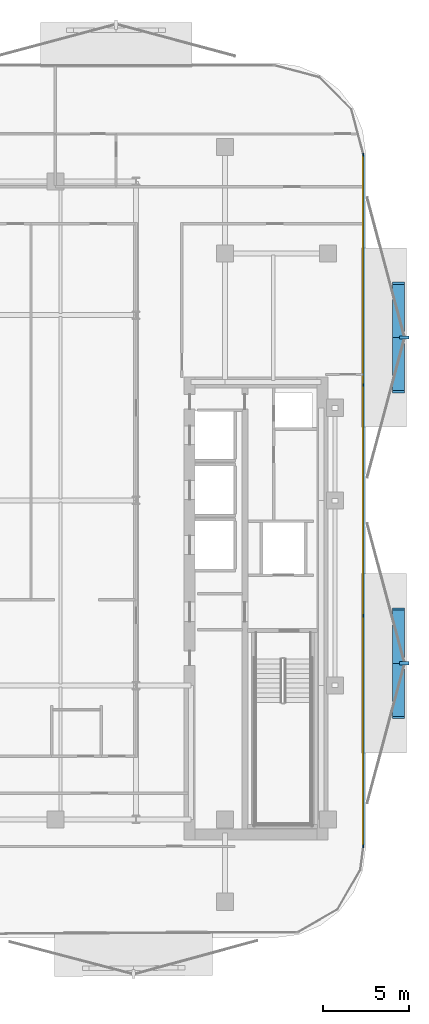
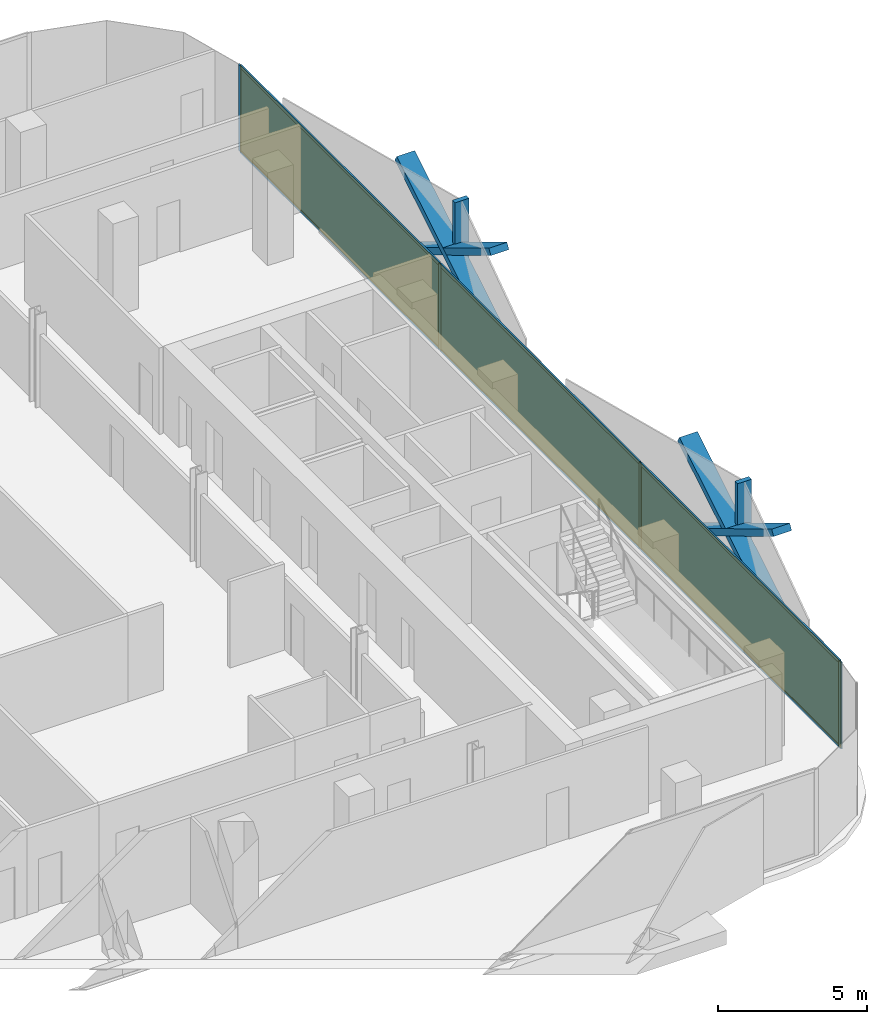
# One storey, part 10 of 16: 16 members, 3 plates, 1 curtain wall.
"""IFC4 building model written with IfcOpenShell, lengths in metres."""

from ifc_helpers import new_model, si_unit, direction, frame, frame_2d, origin, origin_2d, place, context, subcontext, project, spatial, rectangle, extrude, material, layer, layer_set, material_profile, profile_set, type_object, element, aggregate, save


model = new_model("IFC4")

# Units and contexts
model_context = context("Model", 3, precision=1e-05, world=origin(), true_north=direction((0.0, 1.0)))
body_context = subcontext(model_context, "Body", "Model", "MODEL_VIEW")
ifc_project = project(units=[si_unit("LENGTHUNIT", "METRE"), si_unit("AREAUNIT", "SQUARE_METRE"), si_unit("VOLUMEUNIT", "CUBIC_METRE"), si_unit("PLANEANGLEUNIT", "RADIAN"), si_unit("MASSUNIT", "GRAM", prefix="KILO")], contexts=[model_context])

# Member
ifc_material_1 = material(Name="Anodised Bronze Aluminium 6063-T6", Category="aluminium")
ifc_material_profile_1 = material_profile(ifc_material_1, rectangle(XDim=0.260009765625, YDim=0.699951171875, at=origin_2d()))
ifc_profile_set_1 = profile_set([ifc_material_profile_1], Name="Anodised Bronze Aluminium 6063-T6")
member_type_1 = type_object("IfcMemberType", Name="Bronze Diamond Solar-Screen Lattice Rib BDL-700", PredefinedType="MULLION", material=ifc_profile_set_1)
site_placement = place(None, origin())
building_placement = place(site_placement, origin())
storey_placement = place(building_placement, frame((0.0, 0.0, 187.800048828125)))
member_1_placement = place(storey_placement, frame((24.5, 12.660400390625, -0.130126953125), z_axis=(0.0, -0.85737327611, 0.514695118893), x_axis=(0.0, -0.514695118893, -0.85737327611)))
member_1 = element("IfcMember", 1, at=member_1_placement, type_object=member_type_1, Name="L43 Bronze Diamond Solar Screen Lattice Rib 287A", PredefinedType="MULLION", context=body_context, shape_type="SweptSolid", body=[
    extrude(rectangle(XDim=0.260009765625, YDim=0.699951171875, at=origin_2d()), origin(), (0.0, 0.0, 1.0), 7.383056640625),
])

member_2_placement = place(storey_placement, frame((24.5, 6.330322265625, -0.130126953125), z_axis=(0.0, 0.85737327611, 0.514695118893), x_axis=(0.0, 0.514695118893, -0.85737327611)))
member_2 = element("IfcMember", 2, at=member_2_placement, type_object=member_type_1, Name="L43 Bronze Diamond Solar Screen Lattice Rib 287B", PredefinedType="MULLION", context=body_context, shape_type="SweptSolid", body=[
    extrude(rectangle(XDim=0.260009765625, YDim=0.699951171875, at=origin_2d()), origin(), (0.0, 0.0, 1.0), 7.383056640625),
])

member_3_placement = place(storey_placement, frame((24.5, -6.330322265625, -0.130126953125), z_axis=(0.0, -0.85737327611, 0.514695118893), x_axis=(0.0, -0.514695118893, -0.85737327611)))
member_3 = element("IfcMember", 3, at=member_3_placement, type_object=member_type_1, Name="L43 Bronze Diamond Solar Screen Lattice Rib 288A", PredefinedType="MULLION", context=body_context, shape_type="SweptSolid", body=[
    extrude(rectangle(XDim=0.260009765625, YDim=0.699951171875, at=origin_2d()), origin(), (0.0, 0.0, 1.0), 7.383056640625),
])

member_4_placement = place(storey_placement, frame((24.5, -12.660400390625, -0.130126953125), z_axis=(0.0, 0.85737327611, 0.514695118893), x_axis=(0.0, 0.514695118893, -0.85737327611)))
member_4 = element("IfcMember", 4, at=member_4_placement, type_object=member_type_1, Name="L43 Bronze Diamond Solar Screen Lattice Rib 288B", PredefinedType="MULLION", context=body_context, shape_type="SweptSolid", body=[
    extrude(rectangle(XDim=0.260009765625, YDim=0.699951171875, at=origin_2d()), origin(), (0.0, 0.0, 1.0), 7.383056640625),
])

ifc_material_2 = material(Name="Anodised Bronze Aluminium 6063-T6", Category="aluminium")
ifc_material_profile_2 = material_profile(ifc_material_2, rectangle(XDim=0.179931640625, YDim=0.5400390625, at=origin_2d()))
ifc_profile_set_2 = profile_set([ifc_material_profile_2], Name="Anodised Bronze Aluminium 6063-T6")
member_type_2 = type_object("IfcMemberType", Name="Bronze Solar-Screen Vertical Fold Fin BSF-540", PredefinedType="MULLION", material=ifc_profile_set_2)
member_5_placement = place(storey_placement, frame((24.840087890625, 9.495361328125, -0.130126953125), z_axis=(0.0, 0.0, 1.0), x_axis=(0.0, -1.0, 0.0)))
member_5 = element("IfcMember", 5, at=member_5_placement, type_object=member_type_2, Name="L43 Bronze Solar Screen Vertical Fin 287", PredefinedType="MULLION", context=body_context, shape_type="SweptSolid", body=[
    extrude(rectangle(XDim=0.179931640625, YDim=0.5400390625, at=origin_2d()), origin(), (0.0, 0.0, 1.0), 3.800048828125),
])

member_6_placement = place(storey_placement, frame((24.840087890625, -9.495361328125, -0.130126953125), z_axis=(0.0, 0.0, 1.0), x_axis=(0.0, -1.0, 0.0)))
member_6 = element("IfcMember", 6, at=member_6_placement, type_object=member_type_2, Name="L43 Bronze Solar Screen Vertical Fin 288", PredefinedType="MULLION", context=body_context, shape_type="SweptSolid", body=[
    extrude(rectangle(XDim=0.179931640625, YDim=0.5400390625, at=origin_2d()), origin(), (0.0, 0.0, 1.0), 3.800048828125),
])

ifc_material_3 = material(Name="Anodised Bronze Aluminium 6063-T6", Category="aluminium")
ifc_material_profile_3 = material_profile(ifc_material_3, rectangle(XDim=0.06005859375, YDim=0.1650390625, at=origin_2d()))
ifc_profile_set_3 = profile_set([ifc_material_profile_3], Name="Anodised Bronze Aluminium 6063-T6")
member_type_3 = type_object("IfcMemberType", Name="CW-Z3 Mullion 60x165", PredefinedType="MULLION", material=ifc_profile_set_3)
member_7_placement = place(storey_placement, frame((22.4599609375, 20.160888671875, 0.0), z_axis=(0.0, 0.0, 1.0), x_axis=(1.0, 0.0, 0.0)))
member_7 = element("IfcMember", 7, at=member_7_placement, type_object=member_type_3, Name="CW-Z3 mullion 1", PredefinedType="MULLION", context=body_context, shape_type="SweptSolid", body=[
    extrude(rectangle(XDim=0.06005859375, YDim=0.1650390625, at=origin_2d()), origin(), (0.0, 0.0, 1.0), 3.5400390625),
])

member_8_placement = place(storey_placement, frame((22.4599609375, 6.730224609375, 0.0), z_axis=(0.0, 0.0, 1.0), x_axis=(1.0, 0.0, 0.0)))
member_8 = element("IfcMember", 8, at=member_8_placement, type_object=member_type_3, Name="CW-Z3 mullion 2", PredefinedType="MULLION", context=body_context, shape_type="SweptSolid", body=[
    extrude(rectangle(XDim=0.06005859375, YDim=0.1650390625, at=origin_2d()), origin(), (0.0, 0.0, 1.0), 3.5400390625),
])

member_9_placement = place(storey_placement, frame((22.4599609375, -6.730224609375, 0.0), z_axis=(0.0, 0.0, 1.0), x_axis=(1.0, 0.0, 0.0)))
member_9 = element("IfcMember", 9, at=member_9_placement, type_object=member_type_3, Name="CW-Z3 mullion 3", PredefinedType="MULLION", context=body_context, shape_type="SweptSolid", body=[
    extrude(rectangle(XDim=0.06005859375, YDim=0.1650390625, at=origin_2d()), origin(), (0.0, 0.0, 1.0), 3.5400390625),
])

member_10_placement = place(storey_placement, frame((22.4599609375, -20.160888671875, 0.0), z_axis=(0.0, 0.0, 1.0), x_axis=(1.0, 0.0, 0.0)))
member_10 = element("IfcMember", 10, at=member_10_placement, type_object=member_type_3, Name="CW-Z3 mullion 4", PredefinedType="MULLION", context=body_context, shape_type="SweptSolid", body=[
    extrude(rectangle(XDim=0.06005859375, YDim=0.1650390625, at=origin_2d()), origin(), (0.0, 0.0, 1.0), 3.5400390625),
])

ifc_material_4 = material(Name="Anodised Bronze Aluminium 6063-T6", Category="aluminium")
ifc_material_profile_4 = material_profile(ifc_material_4, rectangle(XDim=0.06005859375, YDim=0.1298828125, at=origin_2d()))
ifc_profile_set_4 = profile_set([ifc_material_profile_4], Name="Anodised Bronze Aluminium 6063-T6")
member_type_4 = type_object("IfcMemberType", Name="CW-Z3 Transom 60x130", PredefinedType="USERDEFINED", material=ifc_profile_set_4)
member_11_placement = place(storey_placement, frame((22.4599609375, 20.130859375, 0.030029296875), z_axis=(0.0, -1.0, 0.0), x_axis=(1.0, 0.0, 0.0)))
member_11 = element("IfcMember", 11, at=member_11_placement, type_object=member_type_4, Name="CW-Z3 transom 1.1", ObjectType="TRANSOM", PredefinedType="USERDEFINED", context=body_context, shape_type="SweptSolid", body=[
    extrude(rectangle(XDim=0.06005859375, YDim=0.1298828125, at=origin_2d()), origin(), (0.0, 0.0, 1.0), 13.37060546875),
])

member_12_placement = place(storey_placement, frame((22.4599609375, 20.130859375, 3.510009765625), z_axis=(0.0, -1.0, 0.0), x_axis=(1.0, 0.0, 0.0)))
member_12 = element("IfcMember", 12, at=member_12_placement, type_object=member_type_4, Name="CW-Z3 transom 1.2", ObjectType="TRANSOM", PredefinedType="USERDEFINED", context=body_context, shape_type="SweptSolid", body=[
    extrude(rectangle(XDim=0.06005859375, YDim=0.1298828125, at=origin_2d()), origin(), (0.0, 0.0, 1.0), 13.37060546875),
])

member_13_placement = place(storey_placement, frame((22.4599609375, 6.7001953125, 0.030029296875), z_axis=(0.0, -1.0, 0.0), x_axis=(1.0, 0.0, 0.0)))
member_13 = element("IfcMember", 13, at=member_13_placement, type_object=member_type_4, Name="CW-Z3 transom 2.1", ObjectType="TRANSOM", PredefinedType="USERDEFINED", context=body_context, shape_type="SweptSolid", body=[
    extrude(rectangle(XDim=0.06005859375, YDim=0.1298828125, at=origin_2d()), origin(), (0.0, 0.0, 1.0), 13.400390625),
])

member_14_placement = place(storey_placement, frame((22.4599609375, 6.7001953125, 3.510009765625), z_axis=(0.0, -1.0, 0.0), x_axis=(1.0, 0.0, 0.0)))
member_14 = element("IfcMember", 14, at=member_14_placement, type_object=member_type_4, Name="CW-Z3 transom 2.2", ObjectType="TRANSOM", PredefinedType="USERDEFINED", context=body_context, shape_type="SweptSolid", body=[
    extrude(rectangle(XDim=0.06005859375, YDim=0.1298828125, at=origin_2d()), origin(), (0.0, 0.0, 1.0), 13.400390625),
])

member_15_placement = place(storey_placement, frame((22.4599609375, -6.76025390625, 0.030029296875), z_axis=(0.0, -1.0, 0.0), x_axis=(1.0, 0.0, 0.0)))
member_15 = element("IfcMember", 15, at=member_15_placement, type_object=member_type_4, Name="CW-Z3 transom 3.1", ObjectType="TRANSOM", PredefinedType="USERDEFINED", context=body_context, shape_type="SweptSolid", body=[
    extrude(rectangle(XDim=0.06005859375, YDim=0.1298828125, at=origin_2d()), origin(), (0.0, 0.0, 1.0), 13.37060546875),
])

member_16_placement = place(storey_placement, frame((22.4599609375, -6.76025390625, 3.510009765625), z_axis=(0.0, -1.0, 0.0), x_axis=(1.0, 0.0, 0.0)))
member_16 = element("IfcMember", 16, at=member_16_placement, type_object=member_type_4, Name="CW-Z3 transom 3.2", ObjectType="TRANSOM", PredefinedType="USERDEFINED", context=body_context, shape_type="SweptSolid", body=[
    extrude(rectangle(XDim=0.06005859375, YDim=0.1298828125, at=origin_2d()), origin(), (0.0, 0.0, 1.0), 13.37060546875),
])

# Plate
ifc_material_5 = material(Name="Low-E Solar Control Laminated Glass", Category="glass")
ifc_layer_1 = layer(ifc_material_5, 0.030029296875, Name="Low-E Solar Control Laminated Glass")
ifc_layer_set_1 = layer_set([ifc_layer_1], Name="Low-E Solar Control Laminated Glass")
plate_type = type_object("IfcPlateType", Name="CW-Z3 Low-E Double Glazed Panel 30mm", PredefinedType="CURTAIN_PANEL", material=ifc_layer_set_1)
plate_1_placement = place(storey_placement, frame((22.4599609375, 13.445556640625, 0.06005859375), z_axis=(0.0, 0.0, 1.0), x_axis=(0.0, -1.0, 0.0)))
plate_1 = element("IfcPlate", 17, at=plate_1_placement, type_object=plate_type, Name="CW-Z3 panel 1.1", PredefinedType="CURTAIN_PANEL", context=body_context, shape_type="SweptSolid", body=[
    extrude(rectangle(XDim=13.37060546875, YDim=0.030029296875, at=origin_2d()), origin(), (0.0, 0.0, 1.0), 3.419921875),
])

plate_2_placement = place(storey_placement, frame((22.4599609375, 0.0, 0.06005859375), z_axis=(0.0, 0.0, 1.0), x_axis=(0.0, -1.0, 0.0)))
plate_2 = element("IfcPlate", 18, at=plate_2_placement, type_object=plate_type, Name="CW-Z3 panel 2.1", PredefinedType="CURTAIN_PANEL", context=body_context, shape_type="SweptSolid", body=[
    extrude(rectangle(XDim=13.400634765625, YDim=0.030029296875, at=origin_2d()), origin(), (0.0, 0.0, 1.0), 3.419921875),
])

plate_3_placement = place(storey_placement, frame((22.4599609375, -13.445556640625, 0.06005859375), z_axis=(0.0, 0.0, 1.0), x_axis=(0.0, -1.0, 0.0)))
plate_3 = element("IfcPlate", 19, at=plate_3_placement, type_object=plate_type, Name="CW-Z3 panel 3.1", PredefinedType="CURTAIN_PANEL", context=body_context, shape_type="SweptSolid", body=[
    extrude(rectangle(XDim=13.37060546875, YDim=0.030029296875, at=origin_2d()), origin(), (0.0, 0.0, 1.0), 3.419921875),
])

# Site, building, storey
site = spatial("IfcSite", under=ifc_project, at=site_placement, CompositionType="ELEMENT")
building = spatial("IfcBuilding", under=site, at=building_placement, Name="Khairoan Windgate Tower", CompositionType="ELEMENT")
storey = spatial("IfcBuildingStorey", under=building, at=storey_placement, Name="L43", CompositionType="ELEMENT", Elevation=187.800048828125)

# Curtain wall
ifc_material_6 = material(Name="Anodised Bronze Aluminium 6063-T6", Category="aluminium")
ifc_layer_2 = layer(ifc_material_6, 0.1650390625, Name="Anodised Bronze Aluminium 6063-T6")
ifc_layer_set_2 = layer_set([ifc_layer_2], Name="Anodised Bronze Aluminium 6063-T6")
curtain_wall_type = type_object("IfcCurtainWallType", Name="Luxury Hotel Acoustic Curtain Wall CW-Z3", PredefinedType="NOTDEFINED", material=ifc_layer_set_2)
curtain_wall_placement = place(storey_placement, frame((22.4599609375, 20.19091796875, 0.0), z_axis=(0.0, 0.0, 1.0), x_axis=(0.0, -1.0, 0.0)))
curtain_wall = element("IfcCurtainWall", 20, at=curtain_wall_placement, inside=storey, type_object=curtain_wall_type, Name="L43 Unitised Curtain Wall 13", PredefinedType="NOTDEFINED", context=body_context, shape_type="SweptSolid", body=[
    extrude(rectangle(XDim=40.3818359375, YDim=0.010009765625, at=frame_2d((20.19091796875, 0.0))), origin(), (0.0, 0.0, 1.0), 3.5400390625),
])

aggregate(curtain_wall, [member_7, member_8, member_9, member_10, member_11, member_12, plate_1, member_13, member_14, plate_2, member_15, member_16, plate_3, member_1, member_2, member_5, member_3, member_4, member_6])

save(model, "model.ifc")
